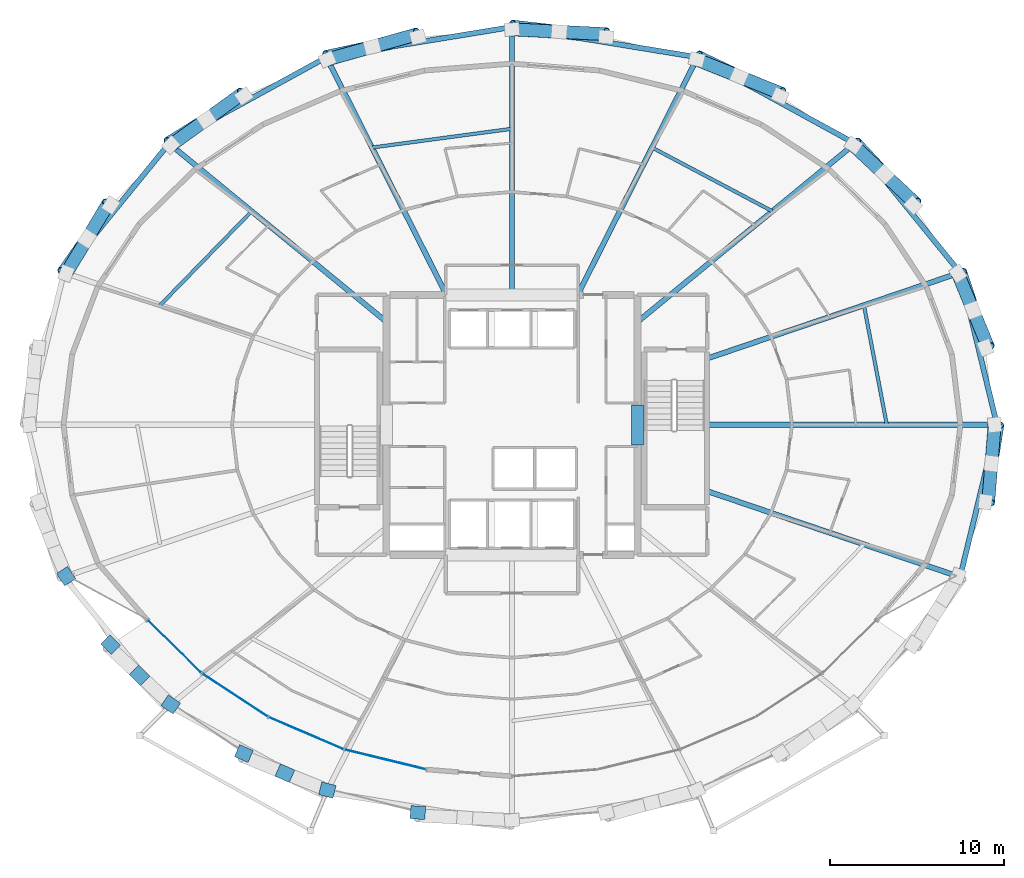
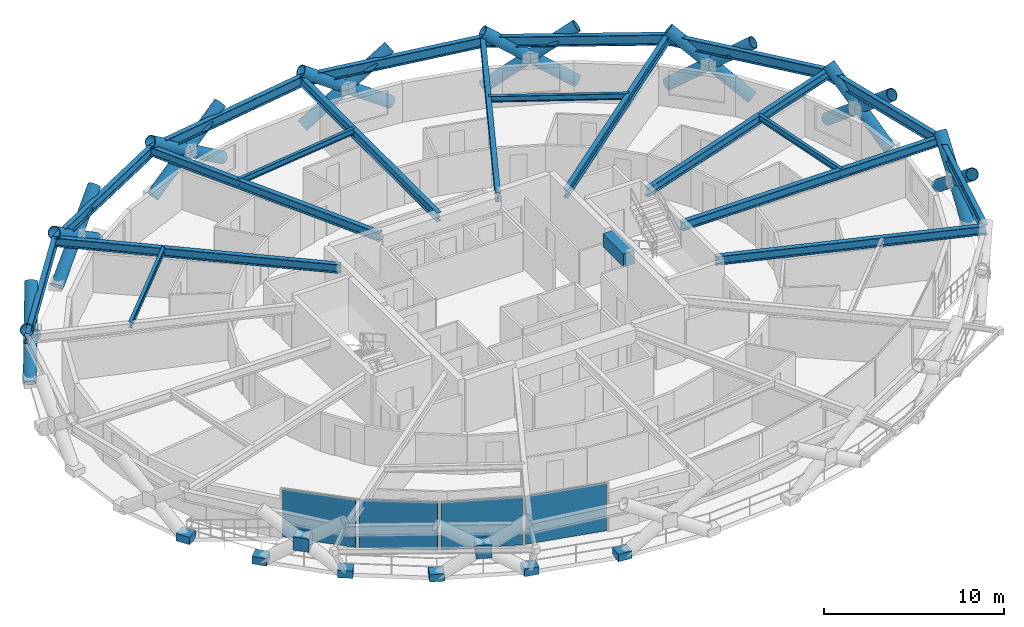
# One storey, part 11 of 19: 24 members, 21 beams, 12 plates, 1 element without a shape of its own.
"""IFC4 building model written with IfcOpenShell, lengths in metres."""

import ifcopenshell
import ifcopenshell.guid

model = None  # the IFC model being written
_history = None  # IfcOwnerHistory: only IFC2X3 demands one
_inside = {}  # id of a spatial element -> (the spatial element, [elements in it])
_under = {}  # id of a project, library or spatial element -> (it, [spatial elements below it])
_declared = {}  # id of a project -> (the project, [libraries it declares])
_typed = {}  # id of a type object -> (the type object, [elements of that type])
_made_of = {}  # id of a material, layer set ... -> (it, [elements and type objects made of it])


def new_model(schema):
    """Start an empty IFC model of exactly this schema.

    Asked for "IFC4X3", IfcOpenShell would pick the latest addendum, in which some entities
    have other attributes; the version numbers below select the first issue.
    IFC2X3 requires an IfcOwnerHistory on every rooted entity: one is made here for all.
    """
    global model, _history
    if schema == "IFC4X3":
        model = ifcopenshell.file(schema_version=(4, 3, 0, 0))
    else:
        model = ifcopenshell.file(schema=schema)
    _inside.clear()
    _under.clear()
    _declared.clear()
    _typed.clear()
    _made_of.clear()
    _history = None
    if model.schema == "IFC2X3":
        org = make("IfcOrganization", Name="unknown")
        user = make(
            "IfcPersonAndOrganization",
            ThePerson=make("IfcPerson", FamilyName="unknown"),
            TheOrganization=org,
        )
        app = make(
            "IfcApplication",
            ApplicationDeveloper=org,
            Version="unknown",
            ApplicationFullName="unknown",
            ApplicationIdentifier="unknown",
        )
        _history = make(
            "IfcOwnerHistory",
            OwningUser=user,
            OwningApplication=app,
            ChangeAction="ADDED",
            CreationDate=0,
        )
    return model


def make(cls, **values):
    """One entity of the class cls with the attributes given. An attribute that is None is left unset."""
    return model.create_entity(
        cls, **{name: value for name, value in values.items() if value is not None}
    )


def rooted(cls, **values):
    """An entity with a GlobalId (a new one), such as an element, a storey or a relation."""
    return make(cls, GlobalId=ifcopenshell.guid.new(), OwnerHistory=_history, **values)


def si_unit(unit_type, name, prefix=None):
    """IfcSIUnit, for example si_unit("LENGTHUNIT", "METRE", prefix="MILLI")."""
    return make("IfcSIUnit", UnitType=unit_type, Prefix=prefix, Name=name)


def assignment(units):
    """IfcUnitAssignment: the units of a project."""
    return None if units is None else make("IfcUnitAssignment", Units=units)


def point(xyz):
    """IfcCartesianPoint."""
    return None if xyz is None else make("IfcCartesianPoint", Coordinates=xyz)


def direction(xyz):
    """IfcDirection."""
    return None if xyz is None else make("IfcDirection", DirectionRatios=xyz)


def frame(location, z_axis=None, x_axis=None):
    """IfcAxis2Placement3D, a coordinate frame: its origin and axes. An axis left out is left unset."""
    return make(
        "IfcAxis2Placement3D",
        Location=point(location),
        Axis=direction(z_axis),
        RefDirection=direction(x_axis),
    )


def frame_2d(location, x_axis=None):
    """IfcAxis2Placement2D, a coordinate frame in the plane: its origin and x axis."""
    return make(
        "IfcAxis2Placement2D", Location=point(location), RefDirection=direction(x_axis)
    )


def origin():
    """The frame at (0, 0, 0) with its axes left unset."""
    return frame((0.0, 0.0, 0.0))


def origin_2d():
    """The frame at (0, 0) in the plane with its x axis left unset."""
    return frame_2d((0.0, 0.0))


def place(relative_to, where):
    """IfcLocalPlacement: puts the frame where relative to a parent placement (None: the world)."""
    return make(
        "IfcLocalPlacement", PlacementRelTo=relative_to, RelativePlacement=where
    )


def context(
    kind, dimensions, precision=None, world=None, true_north=None, identifier=None
):
    """IfcGeometricRepresentationContext, for example the 3D "Model" context."""
    return make(
        "IfcGeometricRepresentationContext",
        ContextIdentifier=identifier,
        ContextType=kind,
        CoordinateSpaceDimension=dimensions,
        Precision=precision,
        WorldCoordinateSystem=world,
        TrueNorth=true_north,
    )


def subcontext(parent, identifier, kind, view, scale=None):
    """IfcGeometricRepresentationSubContext, for example "Body" below "Model"."""
    return make(
        "IfcGeometricRepresentationSubContext",
        ContextIdentifier=identifier,
        ContextType=kind,
        ParentContext=parent,
        TargetScale=scale,
        TargetView=view,
    )


def project(units=None, contexts=None):
    """IfcProject with its units and contexts."""
    return rooted(
        "IfcProject",
        Name="project",
        RepresentationContexts=contexts,
        UnitsInContext=assignment(units),
    )


def spatial(cls, under=None, at=None, **own):
    """A site, building, storey or space (cls), placed at a placement, below another one or the project."""
    s = rooted(cls, ObjectPlacement=at, **own)
    if under is not None:
        _under.setdefault(under.id(), (under, []))[1].append(s)
    return s


def profile(cls, at=None, kind="AREA", **sizes):
    """A parametric profile (cls). Its sizes go by their IFC names, for example OverallWidth=200.0."""
    return make(cls, ProfileType=kind, Position=at, **sizes)


def rectangle(**sizes):
    """IfcRectangleProfileDef."""
    return profile("IfcRectangleProfileDef", **sizes)


def hollow_circle(**sizes):
    """IfcCircleHollowProfileDef."""
    return profile("IfcCircleHollowProfileDef", **sizes)


def i_section(**sizes):
    """IfcIShapeProfileDef."""
    return profile("IfcIShapeProfileDef", **sizes)


def extrude(swept, where, along, depth):
    """IfcExtrudedAreaSolid: the profile swept, set in the frame where, extruded along a direction by depth."""
    return make(
        "IfcExtrudedAreaSolid",
        SweptArea=swept,
        Position=where,
        ExtrudedDirection=direction(along),
        Depth=depth,
    )


def shape(context_of_items, identifier, shape_type, items):
    """IfcShapeRepresentation: the items that make up one representation, for example the "Body"."""
    return make(
        "IfcShapeRepresentation",
        ContextOfItems=context_of_items,
        RepresentationIdentifier=identifier,
        RepresentationType=shape_type,
        Items=items,
    )


def material(Name=None, Category=None):
    """IfcMaterial."""
    return make("IfcMaterial", Name=Name, Category=Category)


def layer(
    of_material, thickness, ventilated=None, Name=None, Category=None, Priority=None
):
    """IfcMaterialLayer: one layer of a wall or slab, of a material (None: an air gap)."""
    return make(
        "IfcMaterialLayer",
        Material=of_material,
        LayerThickness=thickness,
        IsVentilated=ventilated,
        Name=Name,
        Category=Category,
        Priority=Priority,
    )


def layer_set(layers, Name=None):
    """IfcMaterialLayerSet."""
    return make("IfcMaterialLayerSet", MaterialLayers=layers, LayerSetName=Name)


def material_profile(
    of_material, cross_section, Name=None, Category=None, Priority=None
):
    """IfcMaterialProfile: a cross section and its material."""
    return make(
        "IfcMaterialProfile",
        Name=Name,
        Material=of_material,
        Profile=cross_section,
        Priority=Priority,
        Category=Category,
    )


def profile_set(profiles, Name=None, composite=None):
    """IfcMaterialProfileSet."""
    return make(
        "IfcMaterialProfileSet",
        Name=Name,
        MaterialProfiles=profiles,
        CompositeProfile=composite,
    )


def made_of(thing, what):
    """Note that an element or type object is made of a material, layer set ...; save() writes the relation."""
    if what is not None:
        _made_of.setdefault(what.id(), (what, []))[1].append(thing)
    return thing


def type_object(cls, material=None, **own):
    """A type object (cls), such as IfcWallType, which elements share."""
    return made_of(rooted(cls, **own), material)


def element(
    cls,
    number,
    at=None,
    inside=None,
    cuts=None,
    type_object=None,
    material=None,
    context=None,
    identifier="Body",
    shape_type=None,
    held_by="IfcProductDefinitionShape",
    body=None,
    shapes=None,
    **own,
):
    """One element of the class cls, such as IfcWall. Its Tag is "e" and its number.

    at: its placement. inside: the storey or other place that contains it. cuts: it is an
    opening in that element (IfcRelVoidsElement). A single representation is given by context,
    identifier, shape_type and body (its items); several are given by shapes. held_by: the class
    of the entity that holds the representations. save() writes the other relations.
    """
    e = rooted(cls, Tag="e%d" % number, ObjectPlacement=at, **own)
    if body is not None:
        shapes = [shape(context, identifier, shape_type, body)]
    if shapes is not None:
        e.Representation = make(held_by, Representations=shapes)
    if inside is not None:
        _inside.setdefault(inside.id(), (inside, []))[1].append(e)
    if cuts is not None:
        rooted(
            "IfcRelVoidsElement", RelatingBuildingElement=cuts, RelatedOpeningElement=e
        )
    if type_object is not None:
        _typed.setdefault(type_object.id(), (type_object, []))[1].append(e)
    return made_of(e, material)


def aggregate(whole, parts):
    """IfcRelAggregates: a whole, such as a stair, and the parts it consists of."""
    return rooted("IfcRelAggregates", RelatingObject=whole, RelatedObjects=parts)


def save(model, path):
    """Write the relations noted so far, then the file.

    IfcRelAggregates (storeys below a building ...), IfcRelContainedInSpatialStructure (elements
    in a storey), IfcRelDefinesByType, IfcRelAssociatesMaterial and IfcRelDeclares: one each for
    every whole, place, type object, material and project.
    """
    for whole, parts in _under.values():
        aggregate(whole, parts)
    for where, things in _inside.values():
        rooted(
            "IfcRelContainedInSpatialStructure",
            RelatedElements=things,
            RelatingStructure=where,
        )
    for kind, things in _typed.values():
        rooted("IfcRelDefinesByType", RelatedObjects=things, RelatingType=kind)
    for what, things in _made_of.values():
        rooted("IfcRelAssociatesMaterial", RelatedObjects=things, RelatingMaterial=what)
    for by, libraries in _declared.values():
        rooted("IfcRelDeclares", RelatingContext=by, RelatedDefinitions=libraries)
    model.write(path)


model = new_model("IFC4")

# Units and contexts
model_context = context("Model", 3, precision=1e-05, world=origin(), true_north=direction((0.0, 1.0)))
body_context = subcontext(model_context, "Body", "Model", "MODEL_VIEW")
ifc_project = project(units=[si_unit("LENGTHUNIT", "METRE"), si_unit("AREAUNIT", "SQUARE_METRE"), si_unit("VOLUMEUNIT", "CUBIC_METRE"), si_unit("PLANEANGLEUNIT", "RADIAN"), si_unit("MASSUNIT", "GRAM", prefix="KILO")], contexts=[model_context])

# Site, building, storey
site_placement = place(None, origin())
site = spatial("IfcSite", under=ifc_project, at=site_placement, CompositionType="ELEMENT")
building_placement = place(site_placement, origin())
building = spatial("IfcBuilding", under=site, at=building_placement, Name="Veldorina Hangang Commons", CompositionType="ELEMENT")
storey_placement = place(building_placement, frame((0.0, 0.0, 34.0)))
storey = spatial("IfcBuildingStorey", under=building, at=storey_placement, Name="L07", CompositionType="ELEMENT", Elevation=34.0)

# Beams
ifc_material_1 = material(Name="Concrete C70/85", Category="concrete")
ifc_material_profile_1 = material_profile(ifc_material_1, rectangle(XDim=0.699951171875, YDim=0.89990234375, at=origin_2d()), Name="RC-CB-700x900")
ifc_profile_set_1 = profile_set([ifc_material_profile_1], Name="Concrete C70/85")
beam_type_1 = type_object("IfcBeamType", Name="BM-CB900", PredefinedType="LINTEL", material=ifc_profile_set_1)
beam_1_placement = place(storey_placement, frame((39.199951171875, 22.85009765625, 2.889892578125), z_axis=(0.0, 1.0, 0.0), x_axis=(-1.0, 0.0, 0.0)))
element("IfcBeam", 1, at=beam_1_placement, inside=storey, type_object=beam_type_1, Name="L07 E core coupling lintel beam", PredefinedType="LINTEL", context=body_context, shape_type="SweptSolid", body=[
    extrude(rectangle(XDim=0.699951171875, YDim=0.89990234375, at=origin_2d()), origin(), (0.0, 0.0, 1.0), 2.2998046875),
])
ifc_material_2 = material(Name="Steel SM460-TMC", Category="steel")
ifc_material_profile_2 = material_profile(ifc_material_2, i_section(OverallWidth=0.300048828125, OverallDepth=0.587890625, WebThickness=0.011962890625, FlangeThickness=0.02001953125, FilletRadius=0.01806640625, at=origin_2d()), Name="H-588x300x12x20")
ifc_profile_set_2 = profile_set([ifc_material_profile_2], Name="Steel SM460-TMC")
beam_type_2 = type_object("IfcBeamType", Name="BM-FG588", PredefinedType="BEAM", material=ifc_profile_set_2)
beam_2_placement = place(storey_placement, frame((43.179931640625, 24.0, 3.0458984375), z_axis=(1.0, 0.0, 0.0), x_axis=(0.0, 1.0, 0.0)))
element("IfcBeam", 2, at=beam_2_placement, inside=storey, type_object=beam_type_2, Name="L07 radial floor girder 01", PredefinedType="BEAM", context=body_context, shape_type="SweptSolid", body=[
    extrude(i_section(OverallWidth=0.300048828125, OverallDepth=0.587890625, WebThickness=0.011962890625, FlangeThickness=0.02001953125, FilletRadius=0.01806640625, at=origin_2d()), origin(), (0.0, 0.0, 1.0), 16.625732421875),
])
beam_3_placement = place(storey_placement, frame((43.179931640625, 27.798095703125, 3.0458984375), z_axis=(0.946851377923, 0.321671366654, 0.0), x_axis=(-0.321671366654, 0.946851377923, 0.0)))
element("IfcBeam", 3, at=beam_3_placement, inside=storey, type_object=beam_type_2, Name="L07 radial floor girder 02", PredefinedType="BEAM", context=body_context, shape_type="SweptSolid", body=[
    extrude(i_section(OverallWidth=0.300048828125, OverallDepth=0.587890625, WebThickness=0.011962890625, FlangeThickness=0.02001953125, FilletRadius=0.01806640625, at=origin_2d()), origin(), (0.0, 0.0, 1.0), 15.32373046875),
])
beam_4_placement = place(storey_placement, frame((39.199951171875, 29.9052734375, 3.0458984375), z_axis=(0.773202871843, 0.634158749032, 0.0), x_axis=(-0.634158749032, 0.773202871843, 0.0)))
element("IfcBeam", 4, at=beam_4_placement, inside=storey, type_object=beam_type_2, Name="L07 radial floor girder 03", PredefinedType="BEAM", context=body_context, shape_type="SweptSolid", body=[
    extrude(i_section(OverallWidth=0.300048828125, OverallDepth=0.587890625, WebThickness=0.011962890625, FlangeThickness=0.02001953125, FilletRadius=0.01806640625, at=origin_2d()), origin(), (0.0, 0.0, 1.0), 16.116943359375),
])
beam_5_placement = place(storey_placement, frame((35.762451171875, 31.449951171875, 3.0458984375), z_axis=(0.450794213183, 0.892627905322, 0.0), x_axis=(-0.892627905322, 0.450794213183, 0.0)))
element("IfcBeam", 5, at=beam_5_placement, inside=storey, type_object=beam_type_2, Name="L07 radial floor girder 04", PredefinedType="BEAM", context=body_context, shape_type="SweptSolid", body=[
    extrude(i_section(OverallWidth=0.300048828125, OverallDepth=0.587890625, WebThickness=0.011962890625, FlangeThickness=0.02001953125, FilletRadius=0.01806640625, at=origin_2d()), origin(), (0.0, 0.0, 1.0), 15.2578125),
])
beam_6_placement = place(storey_placement, frame((32.0, 31.449951171875, 3.0458984375), z_axis=(0.0, 1.0, 0.0), x_axis=(-1.0, 0.0, 0.0)))
element("IfcBeam", 6, at=beam_6_placement, inside=storey, type_object=beam_type_2, Name="L07 radial floor girder 05", PredefinedType="BEAM", context=body_context, shape_type="SweptSolid", body=[
    extrude(i_section(OverallWidth=0.300048828125, OverallDepth=0.587890625, WebThickness=0.011962890625, FlangeThickness=0.02001953125, FilletRadius=0.01806640625, at=origin_2d()), origin(), (0.0, 0.0, 1.0), 15.355712890625),
])
beam_7_placement = place(storey_placement, frame((28.237548828125, 31.449951171875, 3.0458984375), z_axis=(-0.450794213183, 0.892627905322, 0.0), x_axis=(-0.892627905322, -0.450794213183, 0.0)))
element("IfcBeam", 7, at=beam_7_placement, inside=storey, type_object=beam_type_2, Name="L07 radial floor girder 06", PredefinedType="BEAM", context=body_context, shape_type="SweptSolid", body=[
    extrude(i_section(OverallWidth=0.300048828125, OverallDepth=0.587890625, WebThickness=0.011962890625, FlangeThickness=0.02001953125, FilletRadius=0.01806640625, at=origin_2d()), origin(), (0.0, 0.0, 1.0), 15.2578125),
])
beam_8_placement = place(storey_placement, frame((24.800048828125, 29.9052734375, 3.0458984375), z_axis=(-0.773202871843, 0.634158749032, 0.0), x_axis=(-0.634158749032, -0.773202871843, 0.0)))
element("IfcBeam", 8, at=beam_8_placement, inside=storey, type_object=beam_type_2, Name="L07 radial floor girder 07", PredefinedType="BEAM", context=body_context, shape_type="SweptSolid", body=[
    extrude(i_section(OverallWidth=0.300048828125, OverallDepth=0.587890625, WebThickness=0.011962890625, FlangeThickness=0.02001953125, FilletRadius=0.01806640625, at=origin_2d()), origin(), (0.0, 0.0, 1.0), 16.116943359375),
])
beam_9_placement = place(storey_placement, frame((43.179931640625, 20.201904296875, 3.0458984375), z_axis=(0.946851377923, -0.321671366654, 0.0), x_axis=(0.321671366654, 0.946851377923, 0.0)))
element("IfcBeam", 9, at=beam_9_placement, inside=storey, type_object=beam_type_2, Name="L07 radial floor girder 16", PredefinedType="BEAM", context=body_context, shape_type="SweptSolid", body=[
    extrude(i_section(OverallWidth=0.300048828125, OverallDepth=0.587890625, WebThickness=0.011962890625, FlangeThickness=0.02001953125, FilletRadius=0.01806640625, at=origin_2d()), origin(), (0.0, 0.0, 1.0), 15.32373046875),
])
ifc_material_3 = material(Name="Steel SM355-TMC", Category="steel")
ifc_material_profile_3 = material_profile(ifc_material_3, i_section(OverallWidth=0.199951171875, OverallDepth=0.39990234375, WebThickness=0.008056640625, FlangeThickness=0.012939453125, FilletRadius=0.012939453125, at=origin_2d()), Name="H-400x200x8x13")
ifc_profile_set_3 = profile_set([ifc_material_profile_3], Name="Steel SM355-TMC")
beam_type_3 = type_object("IfcBeamType", Name="BM-JST400", PredefinedType="JOIST", material=ifc_profile_set_3)
beam_10_placement = place(storey_placement, frame((53.48779296875, 24.0, 3.139892578125), z_axis=(-0.188036370553, 0.982162065725, 0.0), x_axis=(-0.982162065725, -0.188036370553, 0.0)))
element("IfcBeam", 10, at=beam_10_placement, inside=storey, type_object=beam_type_3, Name="L07 secondary floor joist 01", PredefinedType="JOIST", context=body_context, shape_type="SweptSolid", body=[
    extrude(i_section(OverallWidth=0.199951171875, OverallDepth=0.39990234375, WebThickness=0.008056640625, FlangeThickness=0.012939453125, FilletRadius=0.012939453125, at=origin_2d()), origin(), (0.0, 0.0, 1.0), 6.978759765625),
])
beam_11_placement = place(storey_placement, frame((46.92626953125, 36.2421875, 3.139892578125), z_axis=(-0.883816061756, 0.467834553001, 0.0), x_axis=(-0.467834553001, -0.883816061756, 0.0)))
element("IfcBeam", 11, at=beam_11_placement, inside=storey, type_object=beam_type_3, Name="L07 secondary floor joist 03", PredefinedType="JOIST", context=body_context, shape_type="SweptSolid", body=[
    extrude(i_section(OverallWidth=0.199951171875, OverallDepth=0.39990234375, WebThickness=0.008056640625, FlangeThickness=0.012939453125, FilletRadius=0.012939453125, at=origin_2d()), origin(), (0.0, 0.0, 1.0), 7.806396484375),
])
beam_12_placement = place(storey_placement, frame((32.0, 40.970458984375, 3.139892578125), z_axis=(-0.991131805581, -0.132882444157, 0.0), x_axis=(0.132882444157, -0.991131805581, 0.0)))
element("IfcBeam", 12, at=beam_12_placement, inside=storey, type_object=beam_type_3, Name="L07 secondary floor joist 05", PredefinedType="JOIST", context=body_context, shape_type="SweptSolid", body=[
    extrude(i_section(OverallWidth=0.199951171875, OverallDepth=0.39990234375, WebThickness=0.008056640625, FlangeThickness=0.012939453125, FilletRadius=0.012939453125, at=origin_2d()), origin(), (0.0, 0.0, 1.0), 8.0986328125),
])
beam_13_placement = place(storey_placement, frame((17.07373046875, 36.2421875, 3.139892578125), z_axis=(-0.697829293006, -0.716264111779, 0.0), x_axis=(0.716264111779, -0.697829293006, 0.0)))
element("IfcBeam", 13, at=beam_13_placement, inside=storey, type_object=beam_type_3, Name="L07 secondary floor joist 07", PredefinedType="JOIST", context=body_context, shape_type="SweptSolid", body=[
    extrude(i_section(OverallWidth=0.199951171875, OverallDepth=0.39990234375, WebThickness=0.008056640625, FlangeThickness=0.012939453125, FilletRadius=0.012939453125, at=origin_2d()), origin(), (0.0, 0.0, 1.0), 7.522216796875),
])
ifc_material_profile_4 = material_profile(ifc_material_2, i_section(OverallWidth=0.300048828125, OverallDepth=0.699951171875, WebThickness=0.012939453125, FlangeThickness=0.02392578125, FilletRadius=0.02197265625, at=origin_2d()), Name="H-700x300x13x24")
ifc_profile_set_4 = profile_set([ifc_material_profile_4], Name="Steel SM460-TMC")
beam_type_4 = type_object("IfcBeamType", Name="BM-RB700", PredefinedType="BEAM", material=ifc_profile_set_4)
beam_14_placement = place(storey_placement, frame((59.8056640625, 24.0, 2.989990234375), z_axis=(-0.235678613021, 0.971831050834, 0.0), x_axis=(-0.971831050834, -0.235678613021, 0.0)))
element("IfcBeam", 14, at=beam_14_placement, inside=storey, type_object=beam_type_4, Name="L07 perimeter hoop ring beam 00", PredefinedType="BEAM", context=body_context, shape_type="SweptSolid", body=[
    extrude(i_section(OverallWidth=0.300048828125, OverallDepth=0.699951171875, WebThickness=0.012939453125, FlangeThickness=0.02392578125, FilletRadius=0.02197265625, at=origin_2d()), origin(), (0.0, 0.0, 1.0), 8.980224609375),
])
beam_15_placement = place(storey_placement, frame((57.689208984375, 32.727294921875, 2.989990234375), z_axis=(-0.631612018868, 0.775284630069, 0.0), x_axis=(-0.775284630069, -0.631612018868, 0.0)))
element("IfcBeam", 15, at=beam_15_placement, inside=storey, type_object=beam_type_4, Name="L07 perimeter hoop ring beam 02", PredefinedType="BEAM", context=body_context, shape_type="SweptSolid", body=[
    extrude(i_section(OverallWidth=0.300048828125, OverallDepth=0.699951171875, WebThickness=0.012939453125, FlangeThickness=0.02392578125, FilletRadius=0.02197265625, at=origin_2d()), origin(), (0.0, 0.0, 1.0), 9.543212890625),
])
beam_16_placement = place(storey_placement, frame((51.66162109375, 40.1259765625, 2.989990234375), z_axis=(-0.876951488045, 0.480578908834, 0.0), x_axis=(-0.480578908834, -0.876951488045, 0.0)))
element("IfcBeam", 16, at=beam_16_placement, inside=storey, type_object=beam_type_4, Name="L07 perimeter hoop ring beam 04", PredefinedType="BEAM", context=body_context, shape_type="SweptSolid", body=[
    extrude(i_section(OverallWidth=0.300048828125, OverallDepth=0.699951171875, WebThickness=0.012939453125, FlangeThickness=0.02392578125, FilletRadius=0.02197265625, at=origin_2d()), origin(), (0.0, 0.0, 1.0), 10.286865234375),
])
for number, where, z_axis, x_axis, name in (
    (17, (42.640625, 45.069580078125, 2.989990234375), (-0.986949998881, 0.161027015465, 0.0), (-0.161027015465, -0.986949998881, 0.0), "L07 perimeter hoop ring beam 06"),
    (18, (32.0, 46.8056640625, 2.989990234375), (-0.986949998881, -0.161027015465, 0.0), (0.161027015465, -0.986949998881, 0.0), "L07 perimeter hoop ring beam 08"),
):
    element("IfcBeam", number, at=place(storey_placement, frame(where, z_axis=z_axis, x_axis=x_axis)), inside=storey, type_object=beam_type_4, Name=name, PredefinedType="BEAM", context=body_context, shape_type="SweptSolid", body=[
        extrude(i_section(OverallWidth=0.300048828125, OverallDepth=0.699951171875, WebThickness=0.012939453125, FlangeThickness=0.02392578125, FilletRadius=0.02197265625, at=origin_2d()), origin(), (0.0, 0.0, 1.0), 10.78125),
    ])
beam_17_placement = place(storey_placement, frame((21.359375, 45.069580078125, 2.989990234375), z_axis=(-0.876951488045, -0.480578908834, 0.0), x_axis=(0.480578908834, -0.876951488045, 0.0)))
element("IfcBeam", 19, at=beam_17_placement, inside=storey, type_object=beam_type_4, Name="L07 perimeter hoop ring beam 10", PredefinedType="BEAM", context=body_context, shape_type="SweptSolid", body=[
    extrude(i_section(OverallWidth=0.300048828125, OverallDepth=0.699951171875, WebThickness=0.012939453125, FlangeThickness=0.02392578125, FilletRadius=0.02197265625, at=origin_2d()), origin(), (0.0, 0.0, 1.0), 10.286865234375),
])
beam_18_placement = place(storey_placement, frame((12.33837890625, 40.1259765625, 2.989990234375), z_axis=(-0.631612018868, -0.775284630069, 0.0), x_axis=(0.775284630069, -0.631612018868, 0.0)))
element("IfcBeam", 20, at=beam_18_placement, inside=storey, type_object=beam_type_4, Name="L07 perimeter hoop ring beam 12", PredefinedType="BEAM", context=body_context, shape_type="SweptSolid", body=[
    extrude(i_section(OverallWidth=0.300048828125, OverallDepth=0.699951171875, WebThickness=0.012939453125, FlangeThickness=0.02392578125, FilletRadius=0.02197265625, at=origin_2d()), origin(), (0.0, 0.0, 1.0), 9.543212890625),
])
beam_19_placement = place(storey_placement, frame((57.689208984375, 15.272705078125, 2.989990234375), z_axis=(0.235678613021, 0.971831050834, 0.0), x_axis=(-0.971831050834, 0.235678613021, 0.0)))
element("IfcBeam", 21, at=beam_19_placement, inside=storey, type_object=beam_type_4, Name="L07 perimeter hoop ring beam 30", PredefinedType="BEAM", context=body_context, shape_type="SweptSolid", body=[
    extrude(i_section(OverallWidth=0.300048828125, OverallDepth=0.699951171875, WebThickness=0.012939453125, FlangeThickness=0.02392578125, FilletRadius=0.02197265625, at=origin_2d()), origin(), (0.0, 0.0, 1.0), 8.980224609375),
])

# Members
ifc_material_profile_5 = material_profile(ifc_material_2, hollow_circle(Radius=0.375, WallThickness=0.035888671875, at=origin_2d()), Name="CHS-750x36")
ifc_profile_set_5 = profile_set([ifc_material_profile_5], Name="Steel SM460-TMC")
member_type = type_object("IfcMemberType", Name="DG-CHS750", PredefinedType="BRACE", material=ifc_profile_set_5)
member_1_placement = place(storey_placement, frame((59.13623046875, 28.42236328125, 0.0), z_axis=(-0.24515072485, 0.744464759177, 0.621026041683), x_axis=(-0.949826898722, -0.312776058011, 0.0)))
element("IfcMember", 22, at=member_1_placement, inside=storey, type_object=member_type, Name="L07 continuous perimeter diagrid brace 01", PredefinedType="BRACE", context=body_context, shape_type="SweptSolid", body=[
    extrude(hollow_circle(Radius=0.375, WallThickness=0.035888671875, at=origin_2d()), origin(), (0.0, 0.0, 1.0), 5.797119140625),
])
member_2_placement = place(storey_placement, frame((57.561767578125, 32.674560546875, 0.0), z_axis=(0.29919189861, -0.725850168225, 0.619375282921), x_axis=(0.924537934154, 0.381090026517, 0.0)))
element("IfcMember", 23, at=member_2_placement, inside=storey, type_object=member_type, Name="L07 split perimeter diagrid lower brace 02", PredefinedType="BRACE", context=body_context, shape_type="SweptSolid", body=[
    extrude(hollow_circle(Radius=0.375, WallThickness=0.035888671875, at=origin_2d()), origin(), (0.0, 0.0, 1.0), 2.89599609375),
])
member_3_placement = place(storey_placement, frame((58.42822265625, 30.572509765625, 1.793701171875), z_axis=(0.298575470735, -0.726140232304, 0.619332746837), x_axis=(0.924867868196, 0.38028860932, 0.0)))
element("IfcMember", 24, at=member_3_placement, inside=storey, type_object=member_type, Name="L07 split perimeter diagrid upper brace 02", PredefinedType="BRACE", context=body_context, shape_type="SweptSolid", body=[
    extrude(hollow_circle(Radius=0.375, WallThickness=0.035888671875, at=origin_2d()), origin(), (0.0, 0.0, 1.0), 2.916748046875),
])
member_4_placement = place(storey_placement, frame((55.0048828125, 36.593505859375, 0.0), z_axis=(-0.549156938168, 0.58699644511, 0.594862867129), x_axis=(-0.730252029627, -0.683177848898, 0.0)))
element("IfcMember", 25, at=member_4_placement, inside=storey, type_object=member_type, Name="L07 continuous perimeter diagrid brace 03", PredefinedType="BRACE", context=body_context, shape_type="SweptSolid", body=[
    extrude(hollow_circle(Radius=0.375, WallThickness=0.035888671875, at=origin_2d()), origin(), (0.0, 0.0, 1.0), 6.052001953125),
])
member_5_placement = place(storey_placement, frame((51.564208984375, 40.028564453125, 0.0), z_axis=(0.58922050463, -0.549562982294, 0.592283483997), x_axis=(0.682068706151, 0.731288096504, 0.0)))
element("IfcMember", 26, at=member_5_placement, inside=storey, type_object=member_type, Name="L07 split perimeter diagrid lower brace 04", PredefinedType="BRACE", context=body_context, shape_type="SweptSolid", body=[
    extrude(hollow_circle(Radius=0.375, WallThickness=0.035888671875, at=origin_2d()), origin(), (0.0, 0.0, 1.0), 3.02880859375),
])
member_6_placement = place(storey_placement, frame((53.348876953125, 38.364013671875, 1.7939453125), z_axis=(0.588409607976, -0.550377962339, 0.592332872474), x_axis=(0.683110968835, 0.730314592663, 0.0)))
element("IfcMember", 27, at=member_6_placement, inside=storey, type_object=member_type, Name="L07 split perimeter diagrid upper brace 04", PredefinedType="BRACE", context=body_context, shape_type="SweptSolid", body=[
    extrude(hollow_circle(Radius=0.375, WallThickness=0.035888671875, at=origin_2d()), origin(), (0.0, 0.0, 1.0), 3.04931640625),
])
member_7_placement = place(storey_placement, frame((47.37158203125, 42.84765625, 0.0), z_axis=(-0.743578755077, 0.354154718706, 0.567155243488), x_axis=(-0.430002462015, -0.902827714828, 0.0)))
element("IfcMember", 28, at=member_7_placement, inside=storey, type_object=member_type, Name="L07 continuous perimeter diagrid brace 05", PredefinedType="BRACE", context=body_context, shape_type="SweptSolid", body=[
    extrude(hollow_circle(Radius=0.375, WallThickness=0.035888671875, at=origin_2d()), origin(), (0.0, 0.0, 1.0), 6.34765625),
])
member_8_placement = place(storey_placement, frame((42.587890625, 44.9423828125, 0.0), z_axis=(0.765731783411, -0.306846421192, 0.565243407459), x_axis=(0.371969244487, 0.928245054474, 0.0)))
element("IfcMember", 29, at=member_8_placement, inside=storey, type_object=member_type, Name="L07 split perimeter diagrid lower brace 06", PredefinedType="BRACE", context=body_context, shape_type="SweptSolid", body=[
    extrude(hollow_circle(Radius=0.375, WallThickness=0.035888671875, at=origin_2d()), origin(), (0.0, 0.0, 1.0), 3.174560546875),
])
member_9_placement = place(storey_placement, frame((45.018798828125, 43.96826171875, 1.79443359375), z_axis=(0.765383330671, -0.307636100055, 0.565286110809), x_axis=(0.372939748129, 0.927855562178, 0.0)))
element("IfcMember", 30, at=member_9_placement, inside=storey, type_object=member_type, Name="L07 split perimeter diagrid upper brace 06", PredefinedType="BRACE", context=body_context, shape_type="SweptSolid", body=[
    extrude(hollow_circle(Radius=0.375, WallThickness=0.035888671875, at=origin_2d()), origin(), (0.0, 0.0, 1.0), 3.1943359375),
])
member_10_placement = place(storey_placement, frame((37.397705078125, 46.232421875, 0.0), z_axis=(-0.828384390411, 0.092284171766, 0.552506048261), x_axis=(-0.110717681692, -0.993851897901, 0.0)))
element("IfcMember", 31, at=member_10_placement, inside=storey, type_object=member_type, Name="L07 continuous perimeter diagrid brace 07", PredefinedType="BRACE", context=body_context, shape_type="SweptSolid", body=[
    extrude(hollow_circle(Radius=0.375, WallThickness=0.035888671875, at=origin_2d()), origin(), (0.0, 0.0, 1.0), 6.515869140625),
])
member_11_placement = place(storey_placement, frame((32.0, 46.66796875, 0.0), z_axis=(0.832717375708, -0.041834903785, 0.552115579402), x_axis=(0.050175737822, 0.998740404376, 0.0)))
element("IfcMember", 32, at=member_11_placement, inside=storey, type_object=member_type, Name="L07 split perimeter diagrid lower brace 08", PredefinedType="BRACE", context=body_context, shape_type="SweptSolid", body=[
    extrude(hollow_circle(Radius=0.375, WallThickness=0.035888671875, at=origin_2d()), origin(), (0.0, 0.0, 1.0), 3.25048828125),
])
member_12_placement = place(storey_placement, frame((34.706787109375, 46.531982421875, 1.794677734375), z_axis=(0.832753127173, -0.041880278292, 0.552058213845), x_axis=(0.050227870621, 0.998737783912, 0.0)))
element("IfcMember", 33, at=member_12_placement, inside=storey, type_object=member_type, Name="L07 split perimeter diagrid upper brace 08", PredefinedType="BRACE", context=body_context, shape_type="SweptSolid", body=[
    extrude(hollow_circle(Radius=0.375, WallThickness=0.035888671875, at=origin_2d()), origin(), (0.0, 0.0, 1.0), 3.270263671875),
])
member_13_placement = place(storey_placement, frame((26.602294921875, 46.232421875, 0.0), z_axis=(-0.812085155488, -0.175700208362, 0.556459465745), x_axis=(0.211464130705, -0.977385758759, 0.0)))
element("IfcMember", 34, at=member_13_placement, inside=storey, type_object=member_type, Name="L07 continuous perimeter diagrid brace 09", PredefinedType="BRACE", context=body_context, shape_type="SweptSolid", body=[
    extrude(hollow_circle(Radius=0.375, WallThickness=0.035888671875, at=origin_2d()), origin(), (0.0, 0.0, 1.0), 6.4697265625),
])
member_14_placement = place(storey_placement, frame((21.412109375, 44.9423828125, 0.0), z_axis=(0.799026989755, 0.22479272414, 0.557695347673), x_axis=(-0.270819689103, 0.962630093023, 0.0)))
element("IfcMember", 35, at=member_14_placement, inside=storey, type_object=member_type, Name="L07 split perimeter diagrid lower brace 10", PredefinedType="BRACE", context=body_context, shape_type="SweptSolid", body=[
    extrude(hollow_circle(Radius=0.375, WallThickness=0.035888671875, at=origin_2d()), origin(), (0.0, 0.0, 1.0), 3.218017578125),
])
member_15_placement = place(storey_placement, frame((23.9833984375, 45.665771484375, 1.794677734375), z_axis=(0.798913682477, 0.225255349213, 0.557671010187), x_axis=(-0.271371692122, 0.962474625491, 0.0)))
element("IfcMember", 36, at=member_15_placement, inside=storey, type_object=member_type, Name="L07 split perimeter diagrid upper brace 10", PredefinedType="BRACE", context=body_context, shape_type="SweptSolid", body=[
    extrude(hollow_circle(Radius=0.375, WallThickness=0.035888671875, at=origin_2d()), origin(), (0.0, 0.0, 1.0), 3.237548828125),
])
member_16_placement = place(storey_placement, frame((16.62841796875, 42.84765625, 0.0), z_axis=(-0.691594533626, -0.43353453289, 0.577706508403), x_axis=(0.531133132637, -0.847288377954, 0.0)))
element("IfcMember", 37, at=member_16_placement, inside=storey, type_object=member_type, Name="L07 continuous perimeter diagrid brace 11", PredefinedType="BRACE", context=body_context, shape_type="SweptSolid", body=[
    extrude(hollow_circle(Radius=0.375, WallThickness=0.035888671875, at=origin_2d()), origin(), (0.0, 0.0, 1.0), 6.231689453125),
])
member_17_placement = place(storey_placement, frame((12.435791015625, 40.028564453125, 0.0), z_axis=(0.661000892884, 0.476078493836, 0.580023350663), x_axis=(-0.584432338022, 0.811442445447, 0.0)))
element("IfcMember", 38, at=member_17_placement, inside=storey, type_object=member_type, Name="L07 split perimeter diagrid lower brace 12", PredefinedType="BRACE", context=body_context, shape_type="SweptSolid", body=[
    extrude(hollow_circle(Radius=0.375, WallThickness=0.035888671875, at=origin_2d()), origin(), (0.0, 0.0, 1.0), 3.09326171875),
])
member_18_placement = place(storey_placement, frame((14.48046875, 41.501220703125, 1.794189453125), z_axis=(0.660404068761, 0.476814717737, 0.58009843209), x_axis=(-0.585374544701, 0.810763000152, 0.0)))
element("IfcMember", 39, at=member_18_placement, inside=storey, type_object=member_type, Name="L07 split perimeter diagrid upper brace 12", PredefinedType="BRACE", context=body_context, shape_type="SweptSolid", body=[
    extrude(hollow_circle(Radius=0.375, WallThickness=0.035888671875, at=origin_2d()), origin(), (0.0, 0.0, 1.0), 3.113037109375),
])
member_19_placement = place(storey_placement, frame((8.9951171875, 36.593505859375, 0.0), z_axis=(-0.45699615927, -0.650111102351, 0.607050298586), x_axis=(0.818096182957, -0.57508141635, 0.0)))
element("IfcMember", 40, at=member_19_placement, inside=storey, type_object=member_type, Name="L07 continuous perimeter diagrid brace 13", PredefinedType="BRACE", context=body_context, shape_type="SweptSolid", body=[
    extrude(hollow_circle(Radius=0.375, WallThickness=0.035888671875, at=origin_2d()), origin(), (0.0, 0.0, 1.0), 5.930419921875),
])
member_20_placement = place(storey_placement, frame((6.438232421875, 32.674560546875, 0.0), z_axis=(0.409805552195, 0.678779323854, 0.609358711187), x_axis=(-0.856077544355, 0.516847403062, 0.0)))
element("IfcMember", 41, at=member_20_placement, inside=storey, type_object=member_type, Name="L07 split perimeter diagrid lower brace 14", PredefinedType="BRACE", context=body_context, shape_type="SweptSolid", body=[
    extrude(hollow_circle(Radius=0.375, WallThickness=0.035888671875, at=origin_2d()), origin(), (0.0, 0.0, 1.0), 2.943603515625),
])
member_21_placement = place(storey_placement, frame((7.64453125, 34.672607421875, 1.793701171875), z_axis=(0.409028661537, 0.679188550752, 0.609424701311), x_axis=(-0.856648459493, 0.515900588145, 0.0)))
element("IfcMember", 42, at=member_21_placement, inside=storey, type_object=member_type, Name="L07 split perimeter diagrid upper brace 14", PredefinedType="BRACE", context=body_context, shape_type="SweptSolid", body=[
    extrude(hollow_circle(Radius=0.375, WallThickness=0.035888671875, at=origin_2d()), origin(), (0.0, 0.0, 1.0), 2.964111328125),
])
member_22_placement = place(storey_placement, frame((59.13623046875, 19.57763671875, 0.0), z_axis=(0.121412550373, 0.769781917203, 0.62665364641), x_axis=(-0.987789038346, 0.155797354673, 0.0)))
element("IfcMember", 43, at=member_22_placement, inside=storey, type_object=member_type, Name="L07 continuous perimeter diagrid brace 31", PredefinedType="BRACE", context=body_context, shape_type="SweptSolid", body=[
    extrude(hollow_circle(Radius=0.375, WallThickness=0.035888671875, at=origin_2d()), origin(), (0.0, 0.0, 1.0), 5.744873046875),
])
member_23_placement = place(storey_placement, frame((59.66796875, 24.0, 0.0), z_axis=(-0.064380905709, -0.776157072806, 0.627244208673), x_axis=(0.996577441579, -0.082664399445, 0.0)))
element("IfcMember", 44, at=member_23_placement, inside=storey, type_object=member_type, Name="L07 split perimeter diagrid lower brace 00", PredefinedType="BRACE", context=body_context, shape_type="SweptSolid", body=[
    extrude(hollow_circle(Radius=0.375, WallThickness=0.035888671875, at=origin_2d()), origin(), (0.0, 0.0, 1.0), 2.859375),
])
member_24_placement = place(storey_placement, frame((59.48388671875, 21.78076171875, 1.79345703125), z_axis=(-0.064169738102, -0.776140187663, 0.627286739702), x_axis=(0.996599595164, -0.082396886581, 0.0)))
element("IfcMember", 45, at=member_24_placement, inside=storey, type_object=member_type, Name="L07 split perimeter diagrid upper brace 00", PredefinedType="BRACE", context=body_context, shape_type="SweptSolid", body=[
    extrude(hollow_circle(Radius=0.375, WallThickness=0.035888671875, at=origin_2d()), origin(), (0.0, 0.0, 1.0), 2.880126953125),
])

# Curtain wall, plates
ifc_material_4 = material(Name="Glass Low-E Triple IGU", Category="glass")
ifc_layer_1 = layer(ifc_material_4, 0.179931640625)
ifc_layer_set_1 = layer_set([ifc_layer_1], Name="Glass Low-E Triple IGU")
curtain_wall_type = type_object("IfcCurtainWallType", Name="CW-SYS-Z1", PredefinedType="NOTDEFINED", material=ifc_layer_set_1)
curtain_wall_placement = place(storey_placement, origin())
curtain_wall = element("IfcCurtainWall", 46, at=curtain_wall_placement, inside=storey, type_object=curtain_wall_type, Name="L07 unitised curtain wall CW-L07-R1", PredefinedType="NOTDEFINED")
ifc_layer_2 = layer(ifc_material_4, 0.0400390625)
ifc_layer_set_2 = layer_set([ifc_layer_2], Name="Glass Low-E Triple IGU")
plate_type_1 = type_object("IfcPlateType", Name="CW-PNL-VIS", PredefinedType="CURTAIN_PANEL", material=ifc_layer_set_2)
plate_1_placement = place(storey_placement, frame((12.654052734375, 11.27978515625, 0.014892578125), z_axis=(0.0, 0.0, 1.0), x_axis=(0.715558634406, -0.6985526757, 0.0)))
plate_1 = element("IfcPlate", 47, at=plate_1_placement, type_object=plate_type_1, Name="CW-L07-R1 facet 1 glazed vision panel", PredefinedType="CURTAIN_PANEL", context=body_context, shape_type="SweptSolid", body=[
    extrude(rectangle(XDim=4.190673828125, YDim=0.0400390625, at=origin_2d()), origin(), (0.0, 0.0, 1.0), 3.27001953125),
])
plate_2_placement = place(storey_placement, frame((16.123291015625, 8.50048828125, 0.014892578125), z_axis=(0.0, 0.0, 1.0), x_axis=(0.835567725417, -0.549387455483, 0.0)))
plate_2 = element("IfcPlate", 48, at=plate_2_placement, type_object=plate_type_1, Name="CW-L07-R1 facet 2 glazed vision panel", PredefinedType="CURTAIN_PANEL", context=body_context, shape_type="SweptSolid", body=[
    extrude(rectangle(XDim=4.380859375, YDim=0.0400390625, at=origin_2d()), origin(), (0.0, 0.0, 1.0), 3.27001953125),
])
plate_3_placement = place(storey_placement, frame((20.202392578125, 6.316650390625, 0.014892578125), z_axis=(0.0, 0.0, 1.0), x_axis=(0.919259054397, -0.393653135273, 0.0)))
plate_3 = element("IfcPlate", 49, at=plate_3_placement, type_object=plate_type_1, Name="CW-L07-R1 facet 3 glazed vision panel", PredefinedType="CURTAIN_PANEL", context=body_context, shape_type="SweptSolid", body=[
    extrude(rectangle(XDim=4.549560546875, YDim=0.0400390625, at=origin_2d()), origin(), (0.0, 0.0, 1.0), 3.27001953125),
])
plate_4_placement = place(storey_placement, frame((24.735107421875, 4.8125, 0.014892578125), z_axis=(0.0, 0.0, 1.0), x_axis=(0.971710105527, -0.236176778742, 0.0)))
plate_4 = element("IfcPlate", 50, at=plate_4_placement, type_object=plate_type_1, Name="CW-L07-R1 facet 4 glazed vision panel", PredefinedType="CURTAIN_PANEL", context=body_context, shape_type="SweptSolid", body=[
    extrude(rectangle(XDim=4.6748046875, YDim=0.0400390625, at=origin_2d()), origin(), (0.0, 0.0, 1.0), 3.27001953125),
])
aggregate(curtain_wall, [plate_1, plate_2, plate_3, plate_4])

# Plates
ifc_layer_3 = layer(ifc_material_2, 0.035888671875)
ifc_layer_set_3 = layer_set([ifc_layer_3], Name="Steel SM460-TMC")
plate_type_2 = type_object("IfcPlateType", Name="PL-STAR-36", PredefinedType="USERDEFINED", material=ifc_layer_set_3)
for number, where, z_axis, x_axis, name in (
    (51, (6.438232421875, 15.325439453125, -0.090087890625), (0.0, 0.0, 1.0), (0.546408964273, -0.837518503534, 0.0), "L07 diagrid star-node gusset plate 18"),
    (52, (8.9951171875, 11.406494140625, -0.090087890625), (0.0, 0.0, 1.0), (0.707698917372, -0.706514148727, 0.0), "L07 diagrid star-node gusset plate 19"),
):
    element("IfcPlate", number, at=place(storey_placement, frame(where, z_axis=z_axis, x_axis=x_axis)), inside=storey, type_object=plate_type_2, Name=name, ObjectType="GUSSET PLATE", PredefinedType="USERDEFINED", context=body_context, shape_type="SweptSolid", body=[
        extrude(rectangle(XDim=0.85009765625, YDim=0.75, at=origin_2d()), origin(), (0.0, 0.0, 1.0), 0.5),
    ])
plate_5_placement = place(storey_placement, frame((10.651123046875, 9.635986328125, 1.343994140625), z_axis=(0.0, 0.0, 1.0), x_axis=(0.707698917372, -0.706514148727, 0.0)))
element("IfcPlate", 53, at=plate_5_placement, inside=storey, type_object=plate_type_2, Name="L07 diagrid X-crossing star-node gusset plate 19", ObjectType="GUSSET PLATE", PredefinedType="USERDEFINED", context=body_context, shape_type="SweptSolid", body=[
    extrude(rectangle(XDim=0.89990234375, YDim=0.780029296875, at=origin_2d()), origin(), (0.0, 0.0, 1.0), 0.89990234375),
])
for number, where, z_axis, x_axis, name in (
    (54, (12.435791015625, 7.971435546875, -0.090087890625), (0.0, 0.0, 1.0), (0.829856500918, -0.557976870385, 0.0), "L07 diagrid star-node gusset plate 20"),
    (55, (16.62841796875, 5.15234375, -0.090087890625), (0.0, 0.0, 1.0), (0.916020011466, -0.401132569848, 0.0), "L07 diagrid star-node gusset plate 21"),
):
    element("IfcPlate", number, at=place(storey_placement, frame(where, z_axis=z_axis, x_axis=x_axis)), inside=storey, type_object=plate_type_2, Name=name, ObjectType="GUSSET PLATE", PredefinedType="USERDEFINED", context=body_context, shape_type="SweptSolid", body=[
        extrude(rectangle(XDim=0.85009765625, YDim=0.75, at=origin_2d()), origin(), (0.0, 0.0, 1.0), 0.5),
    ])
plate_6_placement = place(storey_placement, frame((18.981201171875, 4.03173828125, 1.344482421875), z_axis=(0.0, 0.0, 1.0), x_axis=(0.916020011466, -0.401132569848, 0.0)))
element("IfcPlate", 56, at=plate_6_placement, inside=storey, type_object=plate_type_2, Name="L07 diagrid X-crossing star-node gusset plate 21", ObjectType="GUSSET PLATE", PredefinedType="USERDEFINED", context=body_context, shape_type="SweptSolid", body=[
    extrude(rectangle(XDim=0.89990234375, YDim=0.780029296875, at=origin_2d()), origin(), (0.0, 0.0, 1.0), 0.89990234375),
])
for number, where, z_axis, x_axis, name in (
    (57, (21.412109375, 3.0576171875, -0.090087890625), (0.0, 0.0, 1.0), (0.970481222826, -0.241176690711, 0.0), "L07 diagrid star-node gusset plate 22"),
    (58, (26.602294921875, 1.767578125, -0.090087890625), (0.0, 0.0, 1.0), (0.996759252406, -0.080442480959, 0.0), "L07 diagrid star-node gusset plate 23"),
):
    element("IfcPlate", number, at=place(storey_placement, frame(where, z_axis=z_axis, x_axis=x_axis)), inside=storey, type_object=plate_type_2, Name=name, ObjectType="GUSSET PLATE", PredefinedType="USERDEFINED", context=body_context, shape_type="SweptSolid", body=[
        extrude(rectangle(XDim=0.85009765625, YDim=0.75, at=origin_2d()), origin(), (0.0, 0.0, 1.0), 0.5),
    ])

save(model, "model.ifc")
